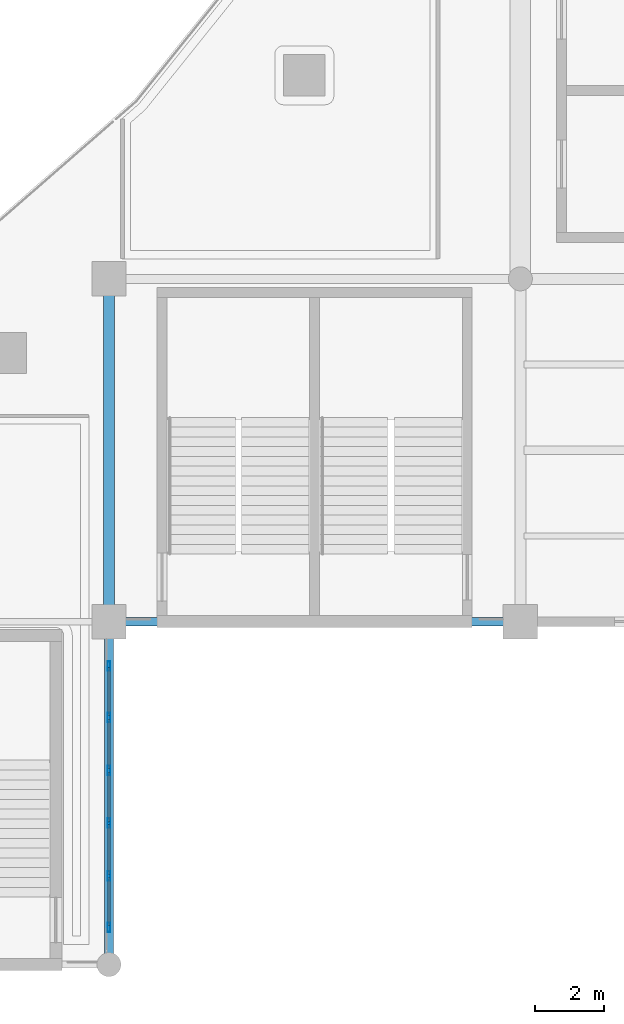
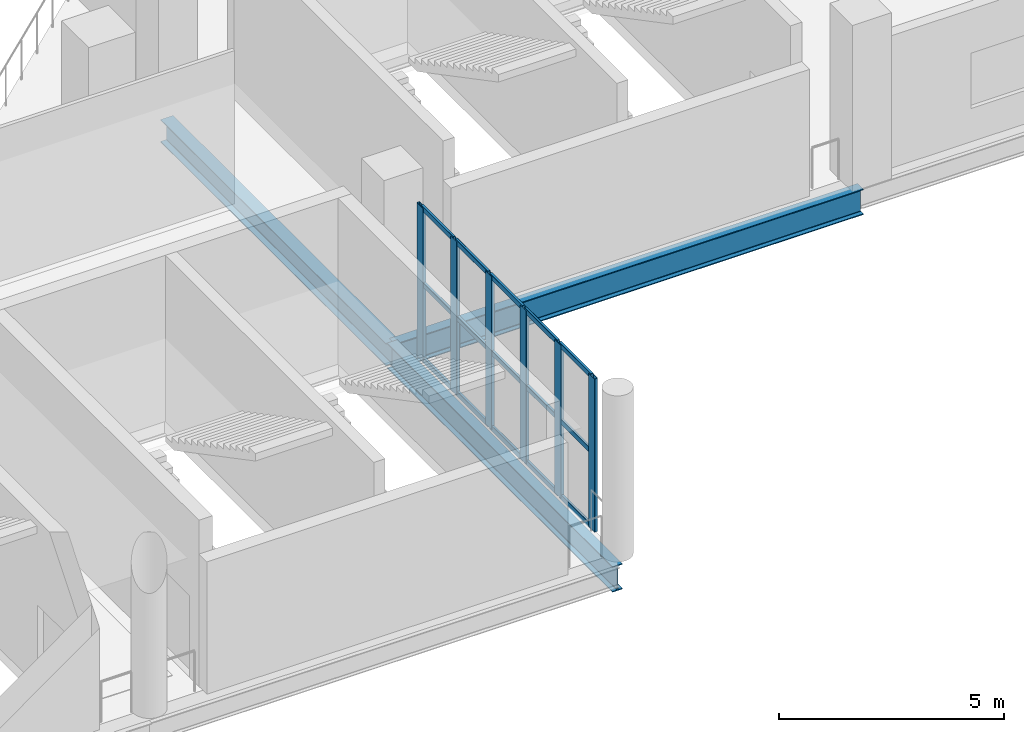
# One storey, part 47 of 108: 21 members, 3 beams, 1 element without a shape of its own.
"""IFC4 building model written with IfcOpenShell, lengths in metres."""

from ifc_helpers import new_model, si_unit, direction, frame, origin, origin_2d, place, context, subcontext, project, spatial, hollow_rectangle, i_section, extrude, material, layer, layer_set, material_profile, profile_set, type_object, element, aggregate, save


model = new_model("IFC4")

# Units and contexts
model_context = context("Model", 3, precision=1e-05, world=origin(), true_north=direction((0.0, 1.0)))
body_context = subcontext(model_context, "Body", "Model", "MODEL_VIEW")
ifc_project = project(units=[si_unit("LENGTHUNIT", "METRE"), si_unit("AREAUNIT", "SQUARE_METRE"), si_unit("VOLUMEUNIT", "CUBIC_METRE"), si_unit("PLANEANGLEUNIT", "RADIAN"), si_unit("MASSUNIT", "GRAM", prefix="KILO")], contexts=[model_context])

# Site, building, storey
site_placement = place(None, origin())
site = spatial("IfcSite", under=ifc_project, at=site_placement, CompositionType="ELEMENT")
building_placement = place(site_placement, origin())
building = spatial("IfcBuilding", under=site, at=building_placement, Name="Brinegate Civic Arena", CompositionType="ELEMENT")
storey_placement = place(building_placement, frame((0.0, 0.0, 10.199951171875)))
storey = spatial("IfcBuildingStorey", under=building, at=storey_placement, Name="L02", CompositionType="ELEMENT", Elevation=10.199951171875)

# Curtain wall, members
ifc_material_1 = material(Name="Marine grade aluminium", Category="aluminium")
ifc_layer = layer(ifc_material_1, 0.25, Name="Marine grade aluminium")
ifc_layer_set = layer_set([ifc_layer], Name="Marine grade aluminium")
curtain_wall_type = type_object("IfcCurtainWallType", Name="CW-PORTAL-SOUTH-02", PredefinedType="USERDEFINED", material=ifc_layer_set)
curtain_wall_placement = place(storey_placement, origin())
curtain_wall = element("IfcCurtainWall", 1, at=curtain_wall_placement, inside=storey, type_object=curtain_wall_type, Name="Curtain Wall CWA-103", ObjectType="PORTAL CURTAIN WALL", PredefinedType="USERDEFINED")
ifc_material_profile_1 = material_profile(ifc_material_1, hollow_rectangle(XDim=0.080078125, YDim=0.280029296875, WallThickness=0.007080078125, InnerFilletRadius=0.0048828125, OuterFilletRadius=0.010009765625, at=origin_2d()), Name="MUL80X280")
ifc_profile_set_1 = profile_set([ifc_material_profile_1], Name="Marine grade aluminium")
member_type_1 = type_object("IfcMemberType", Name="CW-MULLION-80X280", PredefinedType="MULLION", material=ifc_profile_set_1)
member_1_placement = place(storey_placement, frame((132.0, 1.0849609375, 0.0), z_axis=(0.0, 0.0, 1.0), x_axis=(-1.0, 0.0, 0.0)))
member_1 = element("IfcMember", 2, at=member_1_placement, type_object=member_type_1, Name="CWA-103 mullion 1", PredefinedType="MULLION", context=body_context, shape_type="SweptSolid", body=[
    extrude(hollow_rectangle(XDim=0.080078125, YDim=0.280029296875, WallThickness=0.007080078125, InnerFilletRadius=0.0048828125, OuterFilletRadius=0.010009765625, at=origin_2d()), origin(), (0.0, 0.0, 1.0), 4.150146484375),
])
member_2_placement = place(storey_placement, frame((132.0, 2.584716796875, 0.0), z_axis=(0.0, 0.0, 1.0), x_axis=(-1.0, 0.0, 0.0)))
member_2 = element("IfcMember", 3, at=member_2_placement, type_object=member_type_1, Name="CWA-103 mullion 2", PredefinedType="MULLION", context=body_context, shape_type="SweptSolid", body=[
    extrude(hollow_rectangle(XDim=0.080078125, YDim=0.280029296875, WallThickness=0.007080078125, InnerFilletRadius=0.0048828125, OuterFilletRadius=0.010009765625, at=origin_2d()), origin(), (0.0, 0.0, 1.0), 4.150146484375),
])
member_3_placement = place(storey_placement, frame((132.0, 4.124267578125, 0.0), z_axis=(0.0, 0.0, 1.0), x_axis=(-1.0, 0.0, 0.0)))
member_3 = element("IfcMember", 4, at=member_3_placement, type_object=member_type_1, Name="CWA-103 mullion 3", PredefinedType="MULLION", context=body_context, shape_type="SweptSolid", body=[
    extrude(hollow_rectangle(XDim=0.080078125, YDim=0.280029296875, WallThickness=0.007080078125, InnerFilletRadius=0.0048828125, OuterFilletRadius=0.010009765625, at=origin_2d()), origin(), (0.0, 0.0, 1.0), 4.150146484375),
])
member_4_placement = place(storey_placement, frame((132.0, 5.663818359375, 0.0), z_axis=(0.0, 0.0, 1.0), x_axis=(-1.0, 0.0, 0.0)))
member_4 = element("IfcMember", 5, at=member_4_placement, type_object=member_type_1, Name="CWA-103 mullion 4", PredefinedType="MULLION", context=body_context, shape_type="SweptSolid", body=[
    extrude(hollow_rectangle(XDim=0.080078125, YDim=0.280029296875, WallThickness=0.007080078125, InnerFilletRadius=0.0048828125, OuterFilletRadius=0.010009765625, at=origin_2d()), origin(), (0.0, 0.0, 1.0), 4.150146484375),
])
member_5_placement = place(storey_placement, frame((132.0, 7.203369140625, 0.0), z_axis=(0.0, 0.0, 1.0), x_axis=(-1.0, 0.0, 0.0)))
member_5 = element("IfcMember", 6, at=member_5_placement, type_object=member_type_1, Name="CWA-103 mullion 5", PredefinedType="MULLION", context=body_context, shape_type="SweptSolid", body=[
    extrude(hollow_rectangle(XDim=0.080078125, YDim=0.280029296875, WallThickness=0.007080078125, InnerFilletRadius=0.0048828125, OuterFilletRadius=0.010009765625, at=origin_2d()), origin(), (0.0, 0.0, 1.0), 4.150146484375),
])
member_6_placement = place(storey_placement, frame((132.0, 8.702880859375, 0.0), z_axis=(0.0, 0.0, 1.0), x_axis=(-1.0, 0.0, 0.0)))
member_6 = element("IfcMember", 7, at=member_6_placement, type_object=member_type_1, Name="CWA-103 mullion 6", PredefinedType="MULLION", context=body_context, shape_type="SweptSolid", body=[
    extrude(hollow_rectangle(XDim=0.080078125, YDim=0.280029296875, WallThickness=0.007080078125, InnerFilletRadius=0.0048828125, OuterFilletRadius=0.010009765625, at=origin_2d()), origin(), (0.0, 0.0, 1.0), 4.150146484375),
])
ifc_material_profile_2 = material_profile(ifc_material_1, hollow_rectangle(XDim=0.06494140625, YDim=0.139892578125, WallThickness=0.0048828125, InnerFilletRadius=0.00390625, OuterFilletRadius=0.008056640625, at=origin_2d()), Name="TRN65X140")
ifc_profile_set_2 = profile_set([ifc_material_profile_2], Name="Marine grade aluminium")
member_type_2 = type_object("IfcMemberType", Name="CW-TRANSOM-65X140", PredefinedType="USERDEFINED", material=ifc_profile_set_2)
member_7_placement = place(storey_placement, frame((132.0, 1.125, 0.032470703125), z_axis=(0.0, 1.0, 0.0), x_axis=(-1.0, 0.0, 0.0)))
member_7 = element("IfcMember", 8, at=member_7_placement, type_object=member_type_2, Name="CWA-103 transom 1.1", ObjectType="TRANSOM", PredefinedType="USERDEFINED", context=body_context, shape_type="SweptSolid", body=[
    extrude(hollow_rectangle(XDim=0.06494140625, YDim=0.139892578125, WallThickness=0.0048828125, InnerFilletRadius=0.00390625, OuterFilletRadius=0.008056640625, at=origin_2d()), origin(), (0.0, 0.0, 1.0), 1.419677734375),
])
member_8_placement = place(storey_placement, frame((132.0, 1.125, 2.074951171875), z_axis=(0.0, 1.0, 0.0), x_axis=(-1.0, 0.0, 0.0)))
member_8 = element("IfcMember", 9, at=member_8_placement, type_object=member_type_2, Name="CWA-103 transom 1.2", ObjectType="TRANSOM", PredefinedType="USERDEFINED", context=body_context, shape_type="SweptSolid", body=[
    extrude(hollow_rectangle(XDim=0.06494140625, YDim=0.139892578125, WallThickness=0.0048828125, InnerFilletRadius=0.00390625, OuterFilletRadius=0.008056640625, at=origin_2d()), origin(), (0.0, 0.0, 1.0), 1.419677734375),
])
member_9_placement = place(storey_placement, frame((132.0, 1.125, 4.117431640625), z_axis=(0.0, 1.0, 0.0), x_axis=(-1.0, 0.0, 0.0)))
member_9 = element("IfcMember", 10, at=member_9_placement, type_object=member_type_2, Name="CWA-103 transom 1.3", ObjectType="TRANSOM", PredefinedType="USERDEFINED", context=body_context, shape_type="SweptSolid", body=[
    extrude(hollow_rectangle(XDim=0.06494140625, YDim=0.139892578125, WallThickness=0.0048828125, InnerFilletRadius=0.00390625, OuterFilletRadius=0.008056640625, at=origin_2d()), origin(), (0.0, 0.0, 1.0), 1.419677734375),
])
member_10_placement = place(storey_placement, frame((132.0, 2.62451171875, 0.032470703125), z_axis=(0.0, 1.0, 0.0), x_axis=(-1.0, 0.0, 0.0)))
member_10 = element("IfcMember", 11, at=member_10_placement, type_object=member_type_2, Name="CWA-103 transom 2.1", ObjectType="TRANSOM", PredefinedType="USERDEFINED", context=body_context, shape_type="SweptSolid", body=[
    extrude(hollow_rectangle(XDim=0.06494140625, YDim=0.139892578125, WallThickness=0.0048828125, InnerFilletRadius=0.00390625, OuterFilletRadius=0.008056640625, at=origin_2d()), origin(), (0.0, 0.0, 1.0), 1.459716796875),
])
member_11_placement = place(storey_placement, frame((132.0, 2.62451171875, 2.074951171875), z_axis=(0.0, 1.0, 0.0), x_axis=(-1.0, 0.0, 0.0)))
member_11 = element("IfcMember", 12, at=member_11_placement, type_object=member_type_2, Name="CWA-103 transom 2.2", ObjectType="TRANSOM", PredefinedType="USERDEFINED", context=body_context, shape_type="SweptSolid", body=[
    extrude(hollow_rectangle(XDim=0.06494140625, YDim=0.139892578125, WallThickness=0.0048828125, InnerFilletRadius=0.00390625, OuterFilletRadius=0.008056640625, at=origin_2d()), origin(), (0.0, 0.0, 1.0), 1.459716796875),
])
member_12_placement = place(storey_placement, frame((132.0, 2.62451171875, 4.117431640625), z_axis=(0.0, 1.0, 0.0), x_axis=(-1.0, 0.0, 0.0)))
member_12 = element("IfcMember", 13, at=member_12_placement, type_object=member_type_2, Name="CWA-103 transom 2.3", ObjectType="TRANSOM", PredefinedType="USERDEFINED", context=body_context, shape_type="SweptSolid", body=[
    extrude(hollow_rectangle(XDim=0.06494140625, YDim=0.139892578125, WallThickness=0.0048828125, InnerFilletRadius=0.00390625, OuterFilletRadius=0.008056640625, at=origin_2d()), origin(), (0.0, 0.0, 1.0), 1.459716796875),
])
member_13_placement = place(storey_placement, frame((132.0, 4.164306640625, 0.032470703125), z_axis=(0.0, 1.0, 0.0), x_axis=(-1.0, 0.0, 0.0)))
member_13 = element("IfcMember", 14, at=member_13_placement, type_object=member_type_2, Name="CWA-103 transom 3.1", ObjectType="TRANSOM", PredefinedType="USERDEFINED", context=body_context, shape_type="SweptSolid", body=[
    extrude(hollow_rectangle(XDim=0.06494140625, YDim=0.139892578125, WallThickness=0.0048828125, InnerFilletRadius=0.00390625, OuterFilletRadius=0.008056640625, at=origin_2d()), origin(), (0.0, 0.0, 1.0), 1.45947265625),
])
member_14_placement = place(storey_placement, frame((132.0, 4.164306640625, 2.074951171875), z_axis=(0.0, 1.0, 0.0), x_axis=(-1.0, 0.0, 0.0)))
member_14 = element("IfcMember", 15, at=member_14_placement, type_object=member_type_2, Name="CWA-103 transom 3.2", ObjectType="TRANSOM", PredefinedType="USERDEFINED", context=body_context, shape_type="SweptSolid", body=[
    extrude(hollow_rectangle(XDim=0.06494140625, YDim=0.139892578125, WallThickness=0.0048828125, InnerFilletRadius=0.00390625, OuterFilletRadius=0.008056640625, at=origin_2d()), origin(), (0.0, 0.0, 1.0), 1.45947265625),
])
member_15_placement = place(storey_placement, frame((132.0, 4.164306640625, 4.117431640625), z_axis=(0.0, 1.0, 0.0), x_axis=(-1.0, 0.0, 0.0)))
member_15 = element("IfcMember", 16, at=member_15_placement, type_object=member_type_2, Name="CWA-103 transom 3.3", ObjectType="TRANSOM", PredefinedType="USERDEFINED", context=body_context, shape_type="SweptSolid", body=[
    extrude(hollow_rectangle(XDim=0.06494140625, YDim=0.139892578125, WallThickness=0.0048828125, InnerFilletRadius=0.00390625, OuterFilletRadius=0.008056640625, at=origin_2d()), origin(), (0.0, 0.0, 1.0), 1.45947265625),
])
member_16_placement = place(storey_placement, frame((132.0, 5.703857421875, 0.032470703125), z_axis=(0.0, 1.0, 0.0), x_axis=(-1.0, 0.0, 0.0)))
member_16 = element("IfcMember", 17, at=member_16_placement, type_object=member_type_2, Name="CWA-103 transom 4.1", ObjectType="TRANSOM", PredefinedType="USERDEFINED", context=body_context, shape_type="SweptSolid", body=[
    extrude(hollow_rectangle(XDim=0.06494140625, YDim=0.139892578125, WallThickness=0.0048828125, InnerFilletRadius=0.00390625, OuterFilletRadius=0.008056640625, at=origin_2d()), origin(), (0.0, 0.0, 1.0), 1.45947265625),
])
member_17_placement = place(storey_placement, frame((132.0, 5.703857421875, 2.074951171875), z_axis=(0.0, 1.0, 0.0), x_axis=(-1.0, 0.0, 0.0)))
member_17 = element("IfcMember", 18, at=member_17_placement, type_object=member_type_2, Name="CWA-103 transom 4.2", ObjectType="TRANSOM", PredefinedType="USERDEFINED", context=body_context, shape_type="SweptSolid", body=[
    extrude(hollow_rectangle(XDim=0.06494140625, YDim=0.139892578125, WallThickness=0.0048828125, InnerFilletRadius=0.00390625, OuterFilletRadius=0.008056640625, at=origin_2d()), origin(), (0.0, 0.0, 1.0), 1.45947265625),
])
member_18_placement = place(storey_placement, frame((132.0, 5.703857421875, 4.117431640625), z_axis=(0.0, 1.0, 0.0), x_axis=(-1.0, 0.0, 0.0)))
member_18 = element("IfcMember", 19, at=member_18_placement, type_object=member_type_2, Name="CWA-103 transom 4.3", ObjectType="TRANSOM", PredefinedType="USERDEFINED", context=body_context, shape_type="SweptSolid", body=[
    extrude(hollow_rectangle(XDim=0.06494140625, YDim=0.139892578125, WallThickness=0.0048828125, InnerFilletRadius=0.00390625, OuterFilletRadius=0.008056640625, at=origin_2d()), origin(), (0.0, 0.0, 1.0), 1.45947265625),
])
member_19_placement = place(storey_placement, frame((132.0, 7.243408203125, 0.032470703125), z_axis=(0.0, 1.0, 0.0), x_axis=(-1.0, 0.0, 0.0)))
member_19 = element("IfcMember", 20, at=member_19_placement, type_object=member_type_2, Name="CWA-103 transom 5.1", ObjectType="TRANSOM", PredefinedType="USERDEFINED", context=body_context, shape_type="SweptSolid", body=[
    extrude(hollow_rectangle(XDim=0.06494140625, YDim=0.139892578125, WallThickness=0.0048828125, InnerFilletRadius=0.00390625, OuterFilletRadius=0.008056640625, at=origin_2d()), origin(), (0.0, 0.0, 1.0), 1.419677734375),
])
member_20_placement = place(storey_placement, frame((132.0, 7.243408203125, 2.074951171875), z_axis=(0.0, 1.0, 0.0), x_axis=(-1.0, 0.0, 0.0)))
member_20 = element("IfcMember", 21, at=member_20_placement, type_object=member_type_2, Name="CWA-103 transom 5.2", ObjectType="TRANSOM", PredefinedType="USERDEFINED", context=body_context, shape_type="SweptSolid", body=[
    extrude(hollow_rectangle(XDim=0.06494140625, YDim=0.139892578125, WallThickness=0.0048828125, InnerFilletRadius=0.00390625, OuterFilletRadius=0.008056640625, at=origin_2d()), origin(), (0.0, 0.0, 1.0), 1.419677734375),
])
member_21_placement = place(storey_placement, frame((132.0, 7.243408203125, 4.117431640625), z_axis=(0.0, 1.0, 0.0), x_axis=(-1.0, 0.0, 0.0)))
member_21 = element("IfcMember", 22, at=member_21_placement, type_object=member_type_2, Name="CWA-103 transom 5.3", ObjectType="TRANSOM", PredefinedType="USERDEFINED", context=body_context, shape_type="SweptSolid", body=[
    extrude(hollow_rectangle(XDim=0.06494140625, YDim=0.139892578125, WallThickness=0.0048828125, InnerFilletRadius=0.00390625, OuterFilletRadius=0.008056640625, at=origin_2d()), origin(), (0.0, 0.0, 1.0), 1.419677734375),
])
aggregate(curtain_wall, [member_1, member_2, member_3, member_4, member_5, member_6, member_7, member_8, member_9, member_10, member_11, member_12, member_13, member_14, member_15, member_16, member_17, member_18, member_19, member_20, member_21])

# Beams
ifc_material_2 = material(Name="Steel S355", Category="steel")
ifc_material_profile_3 = material_profile(ifc_material_2, i_section(OverallWidth=0.323974609375, OverallDepth=0.611083984375, WebThickness=0.012939453125, FlangeThickness=0.01904296875, FilletRadius=0.01611328125, at=origin_2d()), Name="W610X155")
ifc_profile_set_3 = profile_set([ifc_material_profile_3], Name="Steel S355")
beam_type_1 = type_object("IfcBeamType", Name="GIRDER-W610X155", PredefinedType="BEAM", material=ifc_profile_set_3)
beam_1_placement = place(storey_placement, frame((132.0, 10.0, -0.635009765625), z_axis=(0.0, 1.0, 0.0), x_axis=(-1.0, 0.0, 0.0)))
element("IfcBeam", 23, at=beam_1_placement, inside=storey, type_object=beam_type_1, Name="Floor Girder BM-L02-GY-11-01", PredefinedType="BEAM", context=body_context, shape_type="SweptSolid", body=[
    extrude(i_section(OverallWidth=0.323974609375, OverallDepth=0.611083984375, WebThickness=0.012939453125, FlangeThickness=0.01904296875, FilletRadius=0.01611328125, at=origin_2d()), origin(), (0.0, 0.0, 1.0), 10.0),
])
ifc_material_profile_4 = material_profile(ifc_material_2, i_section(OverallWidth=0.256103515625, OverallDepth=0.693115234375, WebThickness=0.014892578125, FlangeThickness=0.02392578125, FilletRadius=0.01806640625, at=origin_2d()), Name="W690X170")
ifc_profile_set_4 = profile_set([ifc_material_profile_4], Name="Steel S355")
beam_type_2 = type_object("IfcBeamType", Name="GIRDER-W690X170", PredefinedType="BEAM", material=ifc_profile_set_4)
beam_2_placement = place(storey_placement, frame((132.0, 0.0, -0.676025390625), z_axis=(0.0, 1.0, 0.0), x_axis=(-1.0, 0.0, 0.0)))
element("IfcBeam", 24, at=beam_2_placement, inside=storey, type_object=beam_type_2, Name="Floor Girder BM-L02-GY-11-00", PredefinedType="BEAM", context=body_context, shape_type="SweptSolid", body=[
    extrude(i_section(OverallWidth=0.256103515625, OverallDepth=0.693115234375, WebThickness=0.014892578125, FlangeThickness=0.02392578125, FilletRadius=0.01806640625, at=origin_2d()), origin(), (0.0, 0.0, 1.0), 10.0),
])
ifc_material_profile_5 = material_profile(ifc_material_2, i_section(OverallWidth=0.256103515625, OverallDepth=0.693115234375, WebThickness=0.014892578125, FlangeThickness=0.02392578125, FilletRadius=0.01806640625, at=origin_2d()), Name="W690X170")
ifc_profile_set_5 = profile_set([ifc_material_profile_5], Name="Steel S355")
beam_type_3 = type_object("IfcBeamType", Name="SPANDREL-W690X170", PredefinedType="SPANDREL", material=ifc_profile_set_5)
beam_3_placement = place(storey_placement, frame((132.0, 10.0, -0.676025390625), z_axis=(1.0, 0.0, 0.0), x_axis=(0.0, 1.0, 0.0)))
element("IfcBeam", 25, at=beam_3_placement, inside=storey, type_object=beam_type_3, Name="Floor Girder BM-L02-GX-11-01", PredefinedType="SPANDREL", context=body_context, shape_type="SweptSolid", body=[
    extrude(i_section(OverallWidth=0.256103515625, OverallDepth=0.693115234375, WebThickness=0.014892578125, FlangeThickness=0.02392578125, FilletRadius=0.01806640625, at=origin_2d()), origin(), (0.0, 0.0, 1.0), 12.0),
])

save(model, "model.ifc")
